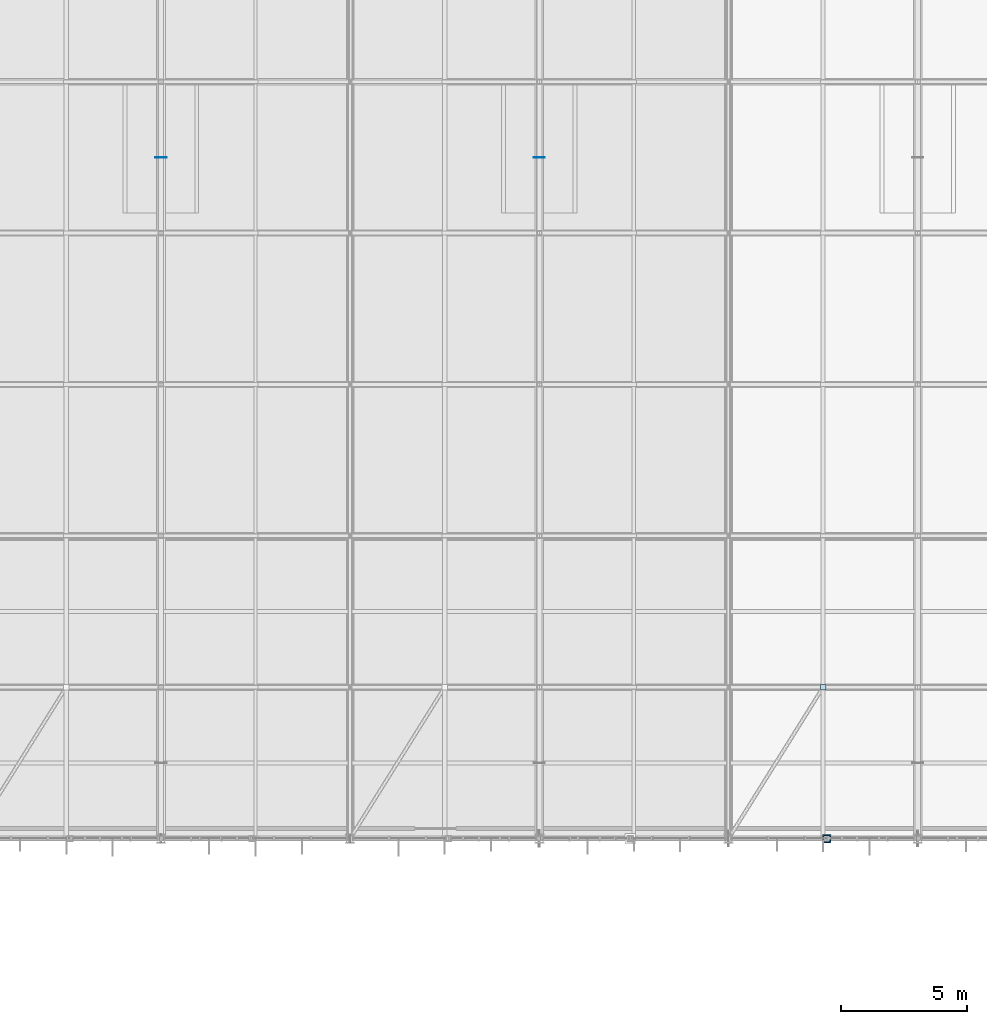
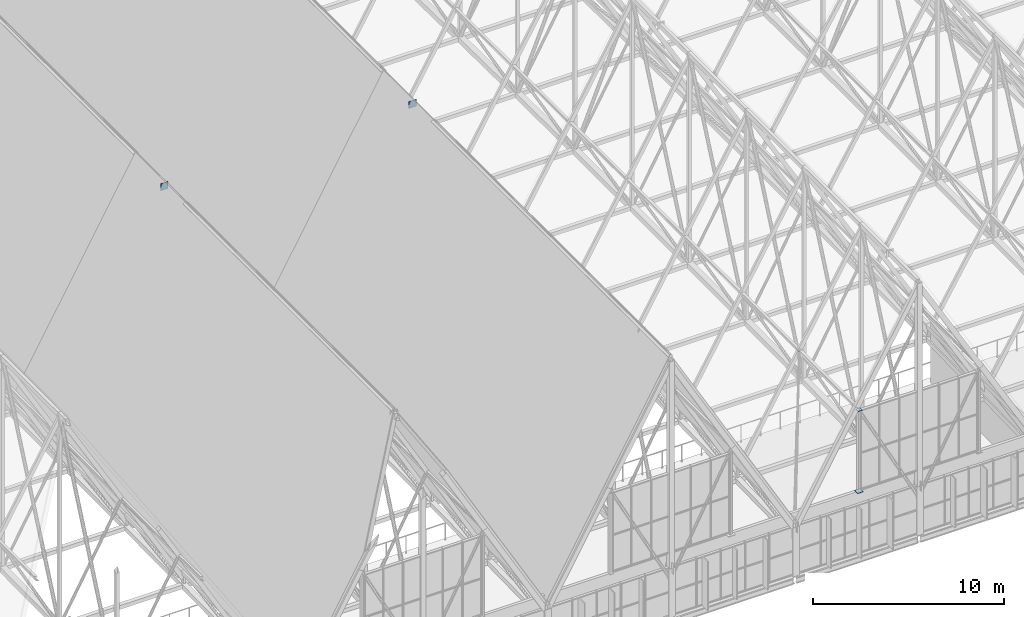
# One storey, part 298 of 324: 5 plates.
"""IFC4 building model written with IfcOpenShell, lengths in metres."""

from ifc_helpers import new_model, si_unit, direction, frame, origin, origin_2d, place, context, subcontext, project, spatial, rectangle, extrude, material, layer, layer_set, type_object, element, save


model = new_model("IFC4")

# Units and contexts
model_context = context("Model", 3, precision=1e-05, world=origin(), true_north=direction((0.0, 1.0)))
body_context = subcontext(model_context, "Body", "Model", "MODEL_VIEW")
ifc_project = project(units=[si_unit("LENGTHUNIT", "METRE"), si_unit("AREAUNIT", "SQUARE_METRE"), si_unit("VOLUMEUNIT", "CUBIC_METRE"), si_unit("PLANEANGLEUNIT", "RADIAN"), si_unit("MASSUNIT", "GRAM", prefix="KILO")], contexts=[model_context])

# Site, building, storey
site_placement = place(None, origin())
site = spatial("IfcSite", under=ifc_project, at=site_placement, CompositionType="ELEMENT")
building_placement = place(site_placement, origin())
building = spatial("IfcBuilding", under=site, at=building_placement, Name="Solvenia Promenade Tram Depot", CompositionType="ELEMENT")
storey_placement = place(building_placement, frame((0.0, 0.0, 4.5)))
storey = spatial("IfcBuildingStorey", under=building, at=storey_placement, Name="L01", CompositionType="ELEMENT", Elevation=4.5)

# Plates
ifc_material = material(Name="Structural steel ASTM A572 Gr. 50", Category="steel")
ifc_layer_1 = layer(ifc_material, 0.02001953125, Name="Structural steel ASTM A572 Gr. 50", Category="steel")
ifc_layer_set_1 = layer_set([ifc_layer_1], Name="Structural steel ASTM A572 Gr. 50")
plate_type_1 = type_object("IfcPlateType", Name="EndCap-CP4", PredefinedType="SHEET", material=ifc_layer_set_1)
plate_1_placement = place(storey_placement, frame((93.89990234375, 66.0, 3.93994140625), z_axis=(0.0, 0.0, 1.0), x_axis=(1.0, 0.0, 0.0)))
element("IfcPlate", 1, at=plate_1_placement, inside=storey, type_object=plate_type_1, Name="Gable Jamb Bottom Cap Plate 027", PredefinedType="SHEET", context=body_context, shape_type="SweptSolid", body=[
    extrude(rectangle(XDim=0.340087890625, YDim=0.340087890625, at=origin_2d()), origin(), (0.0, 0.0, 1.0), 0.02001953125),
])
plate_2_placement = place(storey_placement, frame((93.89990234375, 66.0, 9.141845703125), z_axis=(0.0, 0.0, 1.0), x_axis=(1.0, 0.0, 0.0)))
element("IfcPlate", 2, at=plate_2_placement, inside=storey, type_object=plate_type_1, Name="Gable Jamb Top Cap Plate 027", PredefinedType="SHEET", context=body_context, shape_type="SweptSolid", body=[
    extrude(rectangle(XDim=0.260009765625, YDim=0.260009765625, at=origin_2d()), origin(), (0.0, 0.0, 1.0), 0.01611328125),
])
ifc_layer_2 = layer(ifc_material, 0.01904296875, Name="Structural steel ASTM A572 Gr. 50", Category="steel")
ifc_layer_set_2 = layer_set([ifc_layer_2], Name="Structural steel ASTM A572 Gr. 50")
plate_type_2 = type_object("IfcPlateType", Name="EndCap-CP5", PredefinedType="SHEET", material=ifc_layer_set_2)
plate_3_placement = place(storey_placement, frame((93.75, 72.0, 9.380615234375), z_axis=(0.0, 0.0, 1.0), x_axis=(1.0, 0.0, 0.0)))
element("IfcPlate", 3, at=plate_3_placement, inside=storey, type_object=plate_type_2, Name="Roof Brace Node Plate 013B", PredefinedType="SHEET", context=body_context, shape_type="SweptSolid", body=[
    extrude(rectangle(XDim=0.219970703125, YDim=0.219970703125, at=origin_2d()), origin(), (0.0, 0.0, 1.0), 0.01904296875),
])
ifc_layer_3 = layer(ifc_material, 0.02392578125, Name="Structural steel ASTM A572 Gr. 50", Category="steel")
ifc_layer_set_3 = layer_set([ifc_layer_3], Name="Structural steel ASTM A572 Gr. 50")
plate_type_3 = type_object("IfcPlateType", Name="Gusset-GP4", PredefinedType="USERDEFINED", material=ifc_layer_set_3)
for number, where, z_axis, x_axis, name in (
    (4, (67.5, 93.0, 16.09521484375), (0.0, 0.0, 1.0), (1.0, 0.0, 0.0), "Ridge Node Gusset T10-S05"),
    (5, (82.5, 93.0, 16.09521484375), (0.0, 0.0, 1.0), (1.0, 0.0, 0.0), "Ridge Node Gusset T12-S05"),
):
    element("IfcPlate", number, at=place(storey_placement, frame(where, z_axis=z_axis, x_axis=x_axis)), inside=storey, type_object=plate_type_3, Name=name, ObjectType="GUSSET PLATE", PredefinedType="USERDEFINED", context=body_context, shape_type="SweptSolid", body=[
        extrude(rectangle(XDim=0.449951171875, YDim=0.02001953125, at=origin_2d()), origin(), (0.0, 0.0, 1.0), 0.449951171875),
    ])

save(model, "model.ifc")
